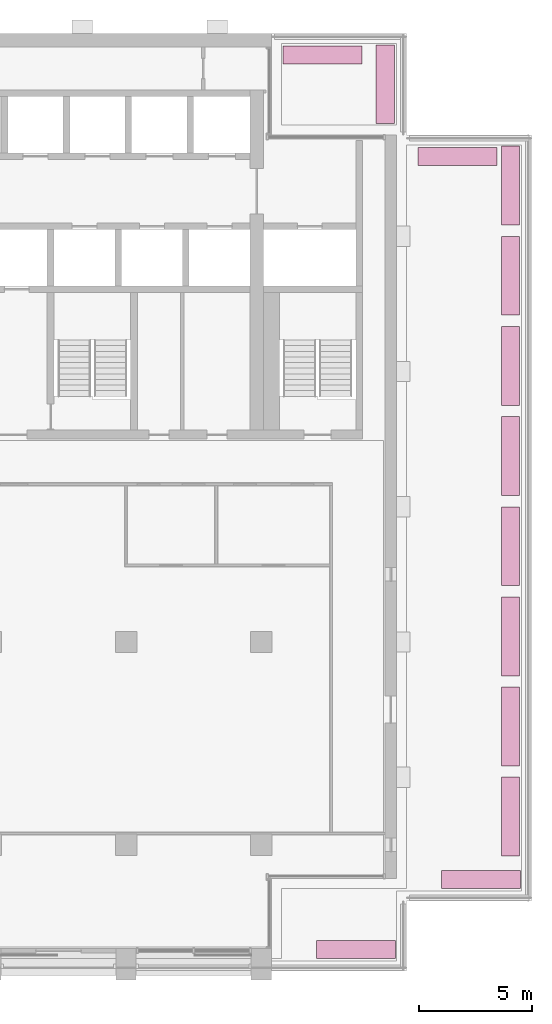
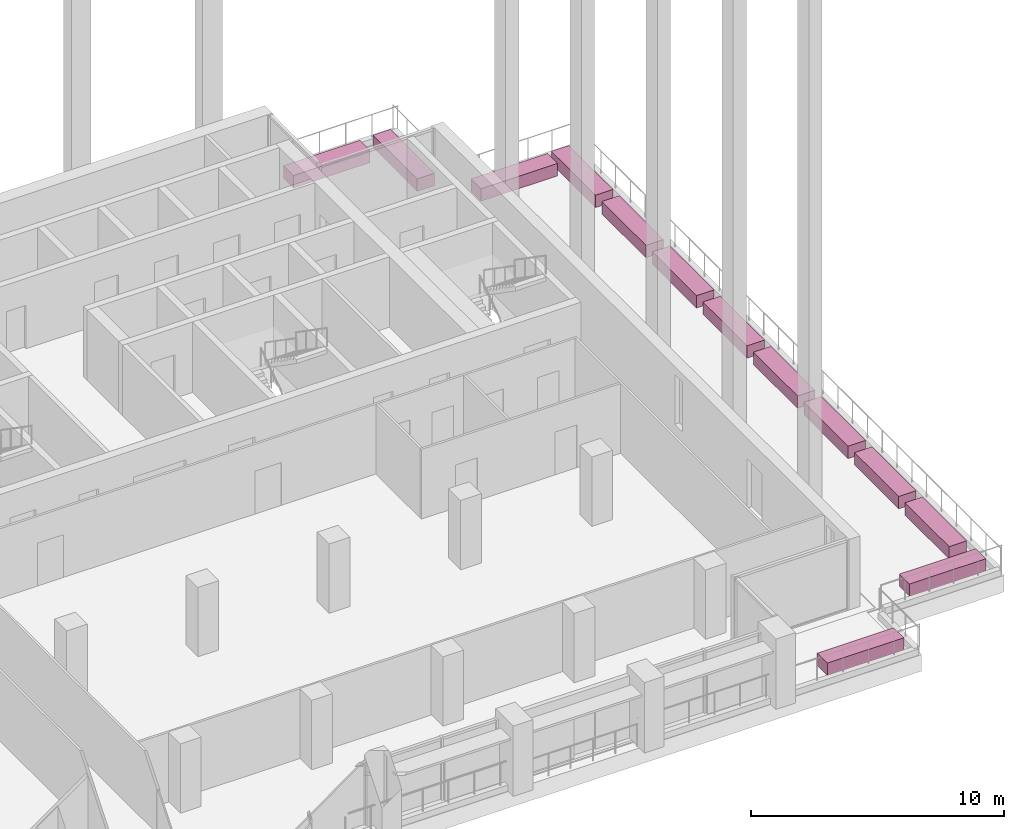
# One storey, part 16 of 16: 13 furniture elements.
"""IFC4 building model written with IfcOpenShell, lengths in metres."""

from ifc_helpers import new_model, si_unit, direction, frame, origin, origin_2d, place, context, subcontext, project, spatial, rectangle, extrude, element, save


model = new_model("IFC4")

# Units and contexts
model_context = context("Model", 3, precision=1e-05, world=origin(), true_north=direction((0.0, 1.0)))
body_context = subcontext(model_context, "Body", "Model", "MODEL_VIEW")
ifc_project = project(units=[si_unit("LENGTHUNIT", "METRE"), si_unit("AREAUNIT", "SQUARE_METRE"), si_unit("VOLUMEUNIT", "CUBIC_METRE"), si_unit("PLANEANGLEUNIT", "RADIAN"), si_unit("MASSUNIT", "GRAM", prefix="KILO")], contexts=[model_context])

# Site, building, storey
site_placement = place(None, origin())
site = spatial("IfcSite", under=ifc_project, at=site_placement, CompositionType="ELEMENT")
building_placement = place(site_placement, origin())
building = spatial("IfcBuilding", under=site, at=building_placement, Name="Calvaro Tower", CompositionType="ELEMENT")
storey_placement = place(building_placement, frame((0.0, 0.0, 231.75)))
storey = spatial("IfcBuildingStorey", under=building, at=storey_placement, Name="L58", CompositionType="ELEMENT", Elevation=231.75)

# Furniture
furniture_1_placement = place(storey_placement, frame((62.719970703125, 45.050048828125, 0.050048828125), z_axis=(0.0, 0.0, 1.0), x_axis=(1.0, 0.0, 0.0)))
element("IfcFurniture", 1, at=furniture_1_placement, inside=storey, Name="PLANTER L58-01", ObjectType="PLANTER", PredefinedType="USERDEFINED", context=body_context, shape_type="SweptSolid", body=[
    extrude(rectangle(XDim=3.5, YDim=0.800048828125, at=origin_2d()), origin(), (0.0, 0.0, 1.0), 0.60009765625),
])
furniture_2_placement = place(storey_placement, frame((65.5, 43.75, 0.050048828125), z_axis=(0.0, 0.0, 1.0), x_axis=(1.0, 0.0, 0.0)))
element("IfcFurniture", 2, at=furniture_2_placement, inside=storey, Name="PLANTER L58-02", ObjectType="PLANTER", PredefinedType="USERDEFINED", context=body_context, shape_type="SweptSolid", body=[
    extrude(rectangle(XDim=0.800048828125, YDim=3.5, at=origin_2d()), origin(), (0.0, 0.0, 1.0), 0.60009765625),
])
furniture_3_placement = place(storey_placement, frame((68.699951171875, 40.550048828125, 0.050048828125), z_axis=(0.0, 0.0, 1.0), x_axis=(1.0, 0.0, 0.0)))
element("IfcFurniture", 3, at=furniture_3_placement, inside=storey, Name="PLANTER L58-03", ObjectType="PLANTER", PredefinedType="USERDEFINED", context=body_context, shape_type="SweptSolid", body=[
    extrude(rectangle(XDim=3.5, YDim=0.800048828125, at=origin_2d()), origin(), (0.0, 0.0, 1.0), 0.60009765625),
])
for number, where, z_axis, x_axis, name in (
    (4, (71.050048828125, 39.25, 0.050048828125), (0.0, 0.0, 1.0), (1.0, 0.0, 0.0), "PLANTER L58-04"),
    (5, (71.050048828125, 35.25, 0.050048828125), (0.0, 0.0, 1.0), (1.0, 0.0, 0.0), "PLANTER L58-05"),
    (6, (71.050048828125, 31.25, 0.050048828125), (0.0, 0.0, 1.0), (1.0, 0.0, 0.0), "PLANTER L58-06"),
    (7, (71.050048828125, 27.25, 0.050048828125), (0.0, 0.0, 1.0), (1.0, 0.0, 0.0), "PLANTER L58-07"),
    (8, (71.050048828125, 23.25, 0.050048828125), (0.0, 0.0, 1.0), (1.0, 0.0, 0.0), "PLANTER L58-08"),
    (9, (71.050048828125, 19.25, 0.050048828125), (0.0, 0.0, 1.0), (1.0, 0.0, 0.0), "PLANTER L58-09"),
    (10, (71.050048828125, 15.25, 0.050048828125), (0.0, 0.0, 1.0), (1.0, 0.0, 0.0), "PLANTER L58-10"),
    (11, (71.050048828125, 11.25, 0.050048828125), (0.0, 0.0, 1.0), (1.0, 0.0, 0.0), "PLANTER L58-11"),
):
    element("IfcFurniture", number, at=place(storey_placement, frame(where, z_axis=z_axis, x_axis=x_axis)), inside=storey, Name=name, ObjectType="PLANTER", PredefinedType="USERDEFINED", context=body_context, shape_type="SweptSolid", body=[
        extrude(rectangle(XDim=0.800048828125, YDim=3.5, at=origin_2d()), origin(), (0.0, 0.0, 1.0), 0.60009765625),
    ])
for number, where, z_axis, x_axis, name in (
    (12, (69.75, 8.449951171875, 0.050048828125), (0.0, 0.0, 1.0), (1.0, 0.0, 0.0), "PLANTER L58-12"),
    (13, (64.199951171875, 5.35009765625, 0.050048828125), (0.0, 0.0, 1.0), (1.0, 0.0, 0.0), "PLANTER L58-13"),
):
    element("IfcFurniture", number, at=place(storey_placement, frame(where, z_axis=z_axis, x_axis=x_axis)), inside=storey, Name=name, ObjectType="PLANTER", PredefinedType="USERDEFINED", context=body_context, shape_type="SweptSolid", body=[
        extrude(rectangle(XDim=3.5, YDim=0.800048828125, at=origin_2d()), origin(), (0.0, 0.0, 1.0), 0.60009765625),
    ])

save(model, "model.ifc")
